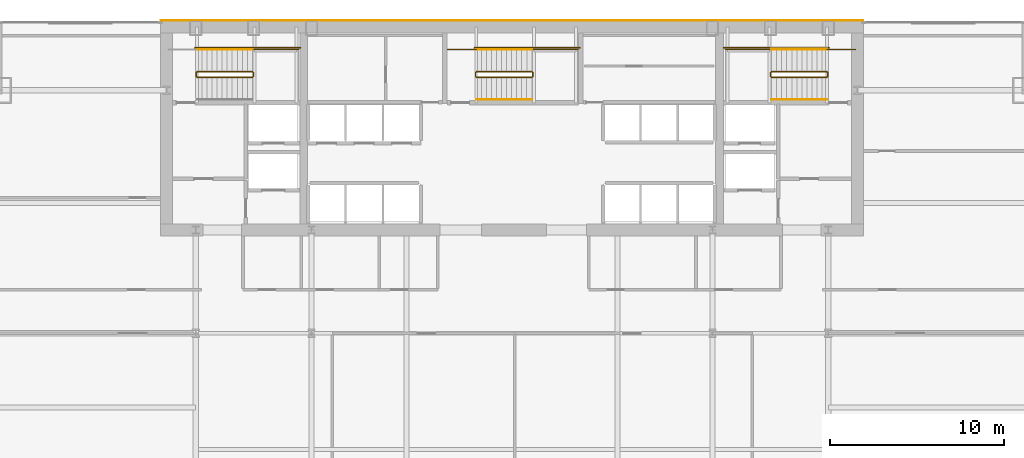
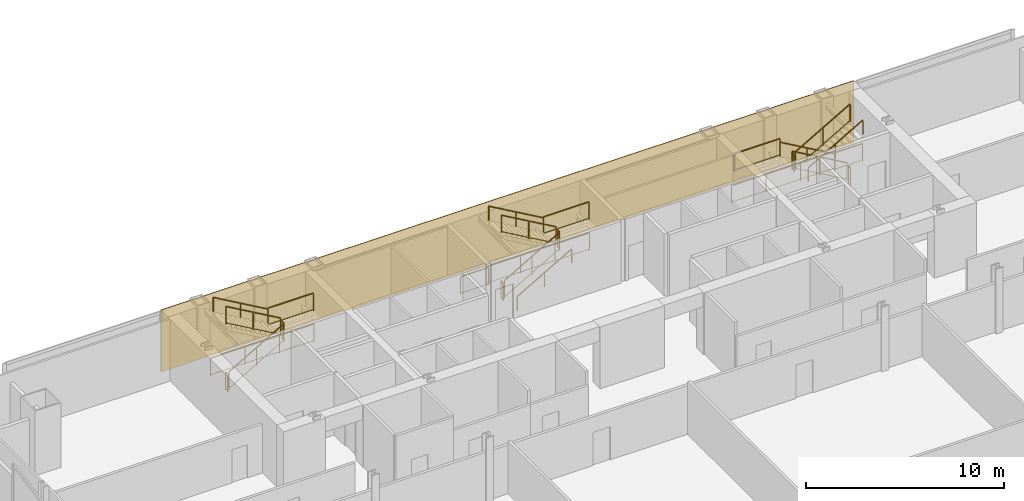
# One storey, part 30 of 30: 25 railings, 1 covering.
"""IFC4 building model written with IfcOpenShell, lengths in metres."""

from ifc_helpers import new_model, si_unit, direction, frame, origin, origin_2d, place, context, subcontext, project, spatial, polyline, rectangle, outline, extrude, material, layer, layer_set, type_object, element, save


model = new_model("IFC4")

# Units and contexts
model_context = context("Model", 3, precision=1e-05, world=origin(), true_north=direction((0.0, 1.0)))
body_context = subcontext(model_context, "Body", "Model", "MODEL_VIEW")
ifc_project = project(units=[si_unit("LENGTHUNIT", "METRE"), si_unit("AREAUNIT", "SQUARE_METRE"), si_unit("VOLUMEUNIT", "CUBIC_METRE"), si_unit("PLANEANGLEUNIT", "RADIAN"), si_unit("MASSUNIT", "GRAM", prefix="KILO")], contexts=[model_context])

# Site, building, storey
site_placement = place(None, origin())
site = spatial("IfcSite", under=ifc_project, at=site_placement, CompositionType="ELEMENT")
building_placement = place(site_placement, origin())
building = spatial("IfcBuilding", under=site, at=building_placement, Name="Khoronbel Lancet Exchange", CompositionType="ELEMENT")
storey_placement = place(building_placement, frame((0.0, 0.0, 98.60009765625)))
storey = spatial("IfcBuildingStorey", under=building, at=storey_placement, Name="L23", CompositionType="ELEMENT", Elevation=98.60009765625)

# Covering
ifc_material_1 = material(Name="Honed Egyptian Limestone & Bronze Rainscreen", Category="masonry")
ifc_layer = layer(ifc_material_1, 0.050048828125, Name="Honed Egyptian Limestone & Bronze Rainscreen")
ifc_layer_set = layer_set([ifc_layer], Name="Honed Egyptian Limestone & Bronze Rainscreen")
covering_type = type_object("IfcCoveringType", Name="COV-CLAD1", PredefinedType="CLADDING", material=ifc_layer_set)
covering_placement = place(storey_placement, origin())
element("IfcCovering", 1, at=covering_placement, inside=storey, type_object=covering_type, Name="Level L23 north rear-core stone and bronze rainscreen cladding", PredefinedType="CLADDING", context=body_context, shape_type="SweptSolid", body=[
    extrude(outline(polyline([(16.199951171875, 53.699951171875), (56.699951171875, 53.699951171875), (56.699951171875, 53.75), (16.199951171875, 53.75), (16.199951171875, 53.699951171875)])), origin(), (0.0, 0.0, 1.0), 3.81982421875),
])

# Railings
ifc_material_2 = material(Name="Painted Steel Balustrade", Category="steel")
railing_type_1 = type_object("IfcRailingType", Name="RL-STG110", PredefinedType="GUARDRAIL", material=ifc_material_2)
railing_1_placement = place(storey_placement, frame((18.300048828125, 50.449951171875, 0.16650390625)))
element("IfcRailing", 2, at=railing_1_placement, inside=storey, type_object=railing_type_1, Name="L23 ST1 stair guard 1", PredefinedType="GUARDRAIL", context=body_context, shape_type="SweptSolid", body=[
    extrude(rectangle(XDim=0.048095703125, YDim=0.048095703125, at=origin_2d()), frame((0.0, 0.0, 1.09619140625), z_axis=(0.86699087805, 0.0, 0.498324008431), x_axis=(0.0, 1.0, 0.0)), (0.0, 0.0, 1.0), 3.679443359375),
    extrude(rectangle(XDim=0.02392578125, YDim=0.02392578125, at=origin_2d()), frame((0.0, 0.0, 0.080078125), z_axis=(0.86699087805, 0.0, 0.498324008431), x_axis=(0.0, 1.0, 0.0)), (0.0, 0.0, 1.0), 3.679443359375),
    extrude(rectangle(XDim=0.0419921875, YDim=0.0419921875, at=origin_2d()), origin(), (0.0, 0.0, 1.0), 1.072021484375),
    extrude(rectangle(XDim=0.0419921875, YDim=0.0419921875, at=origin_2d()), frame((1.594970703125, 0.0, 0.916748046875)), (0.0, 0.0, 1.0), 1.072021484375),
    extrude(rectangle(XDim=0.0419921875, YDim=0.0419921875, at=origin_2d()), frame((3.18994140625, 0.0, 1.83349609375)), (0.0, 0.0, 1.0), 1.072021484375),
])
railing_2_placement = place(storey_placement, frame((21.5400390625, 50.5, 2.0)))
element("IfcRailing", 3, at=railing_2_placement, inside=storey, type_object=railing_type_1, Name="L23 ST1 stair guard 2", PredefinedType="GUARDRAIL", context=body_context, shape_type="SweptSolid", body=[
    extrude(rectangle(XDim=0.048095703125, YDim=0.048095703125, at=origin_2d()), frame((0.0, 0.0, 1.09619140625), z_axis=(0.0, 1.0, 0.0), x_axis=(-1.0, 0.0, 0.0)), (0.0, 0.0, 1.0), 0.219970703125),
    extrude(rectangle(XDim=0.02392578125, YDim=0.02392578125, at=origin_2d()), frame((0.0, 0.0, 0.080078125), z_axis=(0.0, 1.0, 0.0), x_axis=(-1.0, 0.0, 0.0)), (0.0, 0.0, 1.0), 0.219970703125),
    extrude(rectangle(XDim=0.0419921875, YDim=0.0419921875, at=origin_2d()), origin(), (0.0, 0.0, 1.0), 1.072021484375),
    extrude(rectangle(XDim=0.0419921875, YDim=0.0419921875, at=origin_2d()), frame((0.0, 0.219970703125, 0.0)), (0.0, 0.0, 1.0), 1.072021484375),
])
railing_3_placement = place(storey_placement, frame((21.489990234375, 52.050048828125, 2.0)))
element("IfcRailing", 4, at=railing_3_placement, inside=storey, type_object=railing_type_1, Name="L23 ST1 stair guard 3", PredefinedType="GUARDRAIL", context=body_context, shape_type="SweptSolid", body=[
    extrude(rectangle(XDim=0.048095703125, YDim=0.048095703125, at=origin_2d()), frame((0.0, 0.0, 1.09619140625), z_axis=(1.0, 0.0, 0.0), x_axis=(0.0, 1.0, 0.0)), (0.0, 0.0, 1.0), 2.659912109375),
    extrude(rectangle(XDim=0.02392578125, YDim=0.02392578125, at=origin_2d()), frame((0.0, 0.0, 0.080078125), z_axis=(1.0, 0.0, 0.0), x_axis=(0.0, 1.0, 0.0)), (0.0, 0.0, 1.0), 2.659912109375),
    extrude(rectangle(XDim=0.0419921875, YDim=0.0419921875, at=origin_2d()), origin(), (0.0, 0.0, 1.0), 1.072021484375),
    extrude(rectangle(XDim=0.0419921875, YDim=0.0419921875, at=origin_2d()), frame((2.659912109375, 0.0, 0.0)), (0.0, 0.0, 1.0), 1.072021484375),
])
railing_4_placement = place(storey_placement, frame((21.489990234375, 50.77001953125, 2.16650390625)))
element("IfcRailing", 5, at=railing_4_placement, inside=storey, type_object=railing_type_1, Name="L23 ST1 stair guard 4", PredefinedType="GUARDRAIL", context=body_context, shape_type="SweptSolid", body=[
    extrude(rectangle(XDim=0.048095703125, YDim=0.048095703125, at=origin_2d()), frame((0.0, 0.0, 1.09619140625), z_axis=(-0.86699087805, 0.0, 0.498324008431), x_axis=(0.0, -1.0, 0.0)), (0.0, 0.0, 1.0), 3.679443359375),
    extrude(rectangle(XDim=0.02392578125, YDim=0.02392578125, at=origin_2d()), frame((0.0, 0.0, 0.080078125), z_axis=(-0.86699087805, 0.0, 0.498324008431), x_axis=(0.0, -1.0, 0.0)), (0.0, 0.0, 1.0), 3.679443359375),
    extrude(rectangle(XDim=0.0419921875, YDim=0.0419921875, at=origin_2d()), origin(), (0.0, 0.0, 1.0), 1.072021484375),
    extrude(rectangle(XDim=0.0419921875, YDim=0.0419921875, at=origin_2d()), frame((-1.594970703125, 0.0, 0.916748046875)), (0.0, 0.0, 1.0), 1.072021484375),
    extrude(rectangle(XDim=0.0419921875, YDim=0.0419921875, at=origin_2d()), frame((-3.18994140625, 0.0, 1.83349609375)), (0.0, 0.0, 1.0), 1.072021484375),
])
railing_5_placement = place(storey_placement, frame((18.25, 50.5, 0.0)))
element("IfcRailing", 6, at=railing_5_placement, inside=storey, type_object=railing_type_1, Name="L23 ST1 stair guard 5", PredefinedType="GUARDRAIL", context=body_context, shape_type="SweptSolid", body=[
    extrude(rectangle(XDim=0.048095703125, YDim=0.048095703125, at=origin_2d()), frame((0.0, 0.0, 1.09619140625), z_axis=(0.0, 1.0, 0.0), x_axis=(-1.0, 0.0, 0.0)), (0.0, 0.0, 1.0), 0.219970703125),
    extrude(rectangle(XDim=0.02392578125, YDim=0.02392578125, at=origin_2d()), frame((0.0, 0.0, 0.080078125), z_axis=(0.0, 1.0, 0.0), x_axis=(-1.0, 0.0, 0.0)), (0.0, 0.0, 1.0), 0.219970703125),
    extrude(rectangle(XDim=0.0419921875, YDim=0.0419921875, at=origin_2d()), origin(), (0.0, 0.0, 1.0), 1.072021484375),
    extrude(rectangle(XDim=0.0419921875, YDim=0.0419921875, at=origin_2d()), frame((0.0, 0.219970703125, 0.0)), (0.0, 0.0, 1.0), 1.072021484375),
])
railing_6_placement = place(storey_placement, frame((18.199951171875, 52.14990234375, 0.0)))
element("IfcRailing", 7, at=railing_6_placement, inside=storey, type_object=railing_type_1, Name="L23 ST1 stair guard 7", PredefinedType="GUARDRAIL", context=body_context, shape_type="SweptSolid", body=[
    extrude(rectangle(XDim=0.048095703125, YDim=0.048095703125, at=origin_2d()), frame((0.0, 0.0, 1.09619140625), z_axis=(1.0, 0.0, 0.0), x_axis=(0.0, 1.0, 0.0)), (0.0, 0.0, 1.0), 6.050048828125),
    extrude(rectangle(XDim=0.02392578125, YDim=0.02392578125, at=origin_2d()), frame((0.0, 0.0, 0.080078125), z_axis=(1.0, 0.0, 0.0), x_axis=(0.0, 1.0, 0.0)), (0.0, 0.0, 1.0), 6.050048828125),
    extrude(rectangle(XDim=0.0419921875, YDim=0.0419921875, at=origin_2d()), origin(), (0.0, 0.0, 1.0), 1.072021484375),
    extrude(rectangle(XDim=0.0419921875, YDim=0.0419921875, at=origin_2d()), frame((2.0166015625, 0.0, 0.0)), (0.0, 0.0, 1.0), 1.072021484375),
    extrude(rectangle(XDim=0.0419921875, YDim=0.0419921875, at=origin_2d()), frame((4.033447265625, 0.0, 0.0)), (0.0, 0.0, 1.0), 1.072021484375),
    extrude(rectangle(XDim=0.0419921875, YDim=0.0419921875, at=origin_2d()), frame((6.050048828125, 0.0, 0.0)), (0.0, 0.0, 1.0), 1.072021484375),
])
railing_7_placement = place(storey_placement, frame((54.60009765625, 50.77001953125, 0.16650390625)))
element("IfcRailing", 8, at=railing_7_placement, inside=storey, type_object=railing_type_1, Name="L23 ST2 stair guard 1", PredefinedType="GUARDRAIL", context=body_context, shape_type="SweptSolid", body=[
    extrude(rectangle(XDim=0.048095703125, YDim=0.048095703125, at=origin_2d()), frame((0.0, 0.0, 1.09619140625), z_axis=(-0.867007354286, 0.0, 0.498295341753), x_axis=(0.0, -1.0, 0.0)), (0.0, 0.0, 1.0), 3.679443359375),
    extrude(rectangle(XDim=0.02392578125, YDim=0.02392578125, at=origin_2d()), frame((0.0, 0.0, 0.080078125), z_axis=(-0.867007354286, 0.0, 0.498295341753), x_axis=(0.0, -1.0, 0.0)), (0.0, 0.0, 1.0), 3.679443359375),
    extrude(rectangle(XDim=0.0419921875, YDim=0.0419921875, at=origin_2d()), origin(), (0.0, 0.0, 1.0), 1.072021484375),
    extrude(rectangle(XDim=0.0419921875, YDim=0.0419921875, at=origin_2d()), frame((-1.59521484375, 0.0, 0.916748046875)), (0.0, 0.0, 1.0), 1.072021484375),
    extrude(rectangle(XDim=0.0419921875, YDim=0.0419921875, at=origin_2d()), frame((-3.190185546875, 0.0, 1.83349609375)), (0.0, 0.0, 1.0), 1.072021484375),
])
railing_8_placement = place(storey_placement, frame((51.360107421875, 50.719970703125, 2.0)))
element("IfcRailing", 9, at=railing_8_placement, inside=storey, type_object=railing_type_1, Name="L23 ST2 stair guard 2", PredefinedType="GUARDRAIL", context=body_context, shape_type="SweptSolid", body=[
    extrude(rectangle(XDim=0.048095703125, YDim=0.048095703125, at=origin_2d()), frame((0.0, 0.0, 1.09619140625), z_axis=(0.0, -1.0, 0.0), x_axis=(1.0, 0.0, 0.0)), (0.0, 0.0, 1.0), 0.219970703125),
    extrude(rectangle(XDim=0.02392578125, YDim=0.02392578125, at=origin_2d()), frame((0.0, 0.0, 0.080078125), z_axis=(0.0, -1.0, 0.0), x_axis=(1.0, 0.0, 0.0)), (0.0, 0.0, 1.0), 0.219970703125),
    extrude(rectangle(XDim=0.0419921875, YDim=0.0419921875, at=origin_2d()), origin(), (0.0, 0.0, 1.0), 1.072021484375),
    extrude(rectangle(XDim=0.0419921875, YDim=0.0419921875, at=origin_2d()), frame((0.0, -0.219970703125, 0.0)), (0.0, 0.0, 1.0), 1.072021484375),
])
railing_9_placement = place(storey_placement, frame((51.409912109375, 52.050048828125, 2.0)))
element("IfcRailing", 10, at=railing_9_placement, inside=storey, type_object=railing_type_1, Name="L23 ST2 stair guard 3", PredefinedType="GUARDRAIL", context=body_context, shape_type="SweptSolid", body=[
    extrude(rectangle(XDim=0.048095703125, YDim=0.048095703125, at=origin_2d()), frame((0.0, 0.0, 1.09619140625), z_axis=(-1.0, 0.0, 0.0), x_axis=(0.0, -1.0, 0.0)), (0.0, 0.0, 1.0), 2.659912109375),
    extrude(rectangle(XDim=0.02392578125, YDim=0.02392578125, at=origin_2d()), frame((0.0, 0.0, 0.080078125), z_axis=(-1.0, 0.0, 0.0), x_axis=(0.0, -1.0, 0.0)), (0.0, 0.0, 1.0), 2.659912109375),
    extrude(rectangle(XDim=0.0419921875, YDim=0.0419921875, at=origin_2d()), origin(), (0.0, 0.0, 1.0), 1.072021484375),
    extrude(rectangle(XDim=0.0419921875, YDim=0.0419921875, at=origin_2d()), frame((-2.659912109375, 0.0, 0.0)), (0.0, 0.0, 1.0), 1.072021484375),
])
railing_10_placement = place(storey_placement, frame((51.409912109375, 50.449951171875, 2.16650390625)))
element("IfcRailing", 11, at=railing_10_placement, inside=storey, type_object=railing_type_1, Name="L23 ST2 stair guard 4", PredefinedType="GUARDRAIL", context=body_context, shape_type="SweptSolid", body=[
    extrude(rectangle(XDim=0.048095703125, YDim=0.048095703125, at=origin_2d()), frame((0.0, 0.0, 1.09619140625), z_axis=(0.867007354286, 0.0, 0.498295341753), x_axis=(0.0, 1.0, 0.0)), (0.0, 0.0, 1.0), 3.679443359375),
    extrude(rectangle(XDim=0.02392578125, YDim=0.02392578125, at=origin_2d()), frame((0.0, 0.0, 0.080078125), z_axis=(0.867007354286, 0.0, 0.498295341753), x_axis=(0.0, 1.0, 0.0)), (0.0, 0.0, 1.0), 3.679443359375),
    extrude(rectangle(XDim=0.0419921875, YDim=0.0419921875, at=origin_2d()), origin(), (0.0, 0.0, 1.0), 1.072021484375),
    extrude(rectangle(XDim=0.0419921875, YDim=0.0419921875, at=origin_2d()), frame((1.59521484375, 0.0, 0.916748046875)), (0.0, 0.0, 1.0), 1.072021484375),
    extrude(rectangle(XDim=0.0419921875, YDim=0.0419921875, at=origin_2d()), frame((3.190185546875, 0.0, 1.83349609375)), (0.0, 0.0, 1.0), 1.072021484375),
])
railing_11_placement = place(storey_placement, frame((54.64990234375, 50.719970703125, 0.0)))
element("IfcRailing", 12, at=railing_11_placement, inside=storey, type_object=railing_type_1, Name="L23 ST2 stair guard 5", PredefinedType="GUARDRAIL", context=body_context, shape_type="SweptSolid", body=[
    extrude(rectangle(XDim=0.048095703125, YDim=0.048095703125, at=origin_2d()), frame((0.0, 0.0, 1.09619140625), z_axis=(0.0, -1.0, 0.0), x_axis=(1.0, 0.0, 0.0)), (0.0, 0.0, 1.0), 0.219970703125),
    extrude(rectangle(XDim=0.02392578125, YDim=0.02392578125, at=origin_2d()), frame((0.0, 0.0, 0.080078125), z_axis=(0.0, -1.0, 0.0), x_axis=(1.0, 0.0, 0.0)), (0.0, 0.0, 1.0), 0.219970703125),
    extrude(rectangle(XDim=0.0419921875, YDim=0.0419921875, at=origin_2d()), origin(), (0.0, 0.0, 1.0), 1.072021484375),
    extrude(rectangle(XDim=0.0419921875, YDim=0.0419921875, at=origin_2d()), frame((0.0, -0.219970703125, 0.0)), (0.0, 0.0, 1.0), 1.072021484375),
])
railing_12_placement = place(storey_placement, frame((56.25, 52.050048828125, 0.0)))
element("IfcRailing", 13, at=railing_12_placement, inside=storey, type_object=railing_type_1, Name="L23 ST2 stair guard 6", PredefinedType="GUARDRAIL", context=body_context, shape_type="SweptSolid", body=[
    extrude(rectangle(XDim=0.048095703125, YDim=0.048095703125, at=origin_2d()), frame((0.0, 0.0, 1.09619140625), z_axis=(-1.0, 0.0, 0.0), x_axis=(0.0, -1.0, 0.0)), (0.0, 0.0, 1.0), 1.64990234375),
    extrude(rectangle(XDim=0.02392578125, YDim=0.02392578125, at=origin_2d()), frame((0.0, 0.0, 0.080078125), z_axis=(-1.0, 0.0, 0.0), x_axis=(0.0, -1.0, 0.0)), (0.0, 0.0, 1.0), 1.64990234375),
    extrude(rectangle(XDim=0.0419921875, YDim=0.0419921875, at=origin_2d()), origin(), (0.0, 0.0, 1.0), 1.072021484375),
    extrude(rectangle(XDim=0.0419921875, YDim=0.0419921875, at=origin_2d()), frame((-1.64990234375, 0.0, 0.0)), (0.0, 0.0, 1.0), 1.072021484375),
])
railing_13_placement = place(storey_placement, frame((54.699951171875, 52.14990234375, 0.0)))
element("IfcRailing", 14, at=railing_13_placement, inside=storey, type_object=railing_type_1, Name="L23 ST2 stair guard 7", PredefinedType="GUARDRAIL", context=body_context, shape_type="SweptSolid", body=[
    extrude(rectangle(XDim=0.048095703125, YDim=0.048095703125, at=origin_2d()), frame((0.0, 0.0, 1.09619140625), z_axis=(-1.0, 0.0, 0.0), x_axis=(0.0, -1.0, 0.0)), (0.0, 0.0, 1.0), 6.050048828125),
    extrude(rectangle(XDim=0.02392578125, YDim=0.02392578125, at=origin_2d()), frame((0.0, 0.0, 0.080078125), z_axis=(-1.0, 0.0, 0.0), x_axis=(0.0, -1.0, 0.0)), (0.0, 0.0, 1.0), 6.050048828125),
    extrude(rectangle(XDim=0.0419921875, YDim=0.0419921875, at=origin_2d()), origin(), (0.0, 0.0, 1.0), 1.072021484375),
    extrude(rectangle(XDim=0.0419921875, YDim=0.0419921875, at=origin_2d()), frame((-2.0166015625, 0.0, 0.0)), (0.0, 0.0, 1.0), 1.072021484375),
    extrude(rectangle(XDim=0.0419921875, YDim=0.0419921875, at=origin_2d()), frame((-4.033447265625, 0.0, 0.0)), (0.0, 0.0, 1.0), 1.072021484375),
    extrude(rectangle(XDim=0.0419921875, YDim=0.0419921875, at=origin_2d()), frame((-6.050048828125, 0.0, 0.0)), (0.0, 0.0, 1.0), 1.072021484375),
])
railing_14_placement = place(storey_placement, frame((34.39990234375, 50.449951171875, 0.16650390625)))
element("IfcRailing", 15, at=railing_14_placement, inside=storey, type_object=railing_type_1, Name="L23 ST3 stair guard 1", PredefinedType="GUARDRAIL", context=body_context, shape_type="SweptSolid", body=[
    extrude(rectangle(XDim=0.048095703125, YDim=0.048095703125, at=origin_2d()), frame((0.0, 0.0, 1.09619140625), z_axis=(0.867007354286, 0.0, 0.498295341753), x_axis=(0.0, 1.0, 0.0)), (0.0, 0.0, 1.0), 3.679443359375),
    extrude(rectangle(XDim=0.02392578125, YDim=0.02392578125, at=origin_2d()), frame((0.0, 0.0, 0.080078125), z_axis=(0.867007354286, 0.0, 0.498295341753), x_axis=(0.0, 1.0, 0.0)), (0.0, 0.0, 1.0), 3.679443359375),
    extrude(rectangle(XDim=0.0419921875, YDim=0.0419921875, at=origin_2d()), origin(), (0.0, 0.0, 1.0), 1.072021484375),
    extrude(rectangle(XDim=0.0419921875, YDim=0.0419921875, at=origin_2d()), frame((1.59521484375, 0.0, 0.916748046875)), (0.0, 0.0, 1.0), 1.072021484375),
    extrude(rectangle(XDim=0.0419921875, YDim=0.0419921875, at=origin_2d()), frame((3.190185546875, 0.0, 1.83349609375)), (0.0, 0.0, 1.0), 1.072021484375),
])
railing_15_placement = place(storey_placement, frame((37.639892578125, 50.5, 2.0)))
element("IfcRailing", 16, at=railing_15_placement, inside=storey, type_object=railing_type_1, Name="L23 ST3 stair guard 2", PredefinedType="GUARDRAIL", context=body_context, shape_type="SweptSolid", body=[
    extrude(rectangle(XDim=0.048095703125, YDim=0.048095703125, at=origin_2d()), frame((0.0, 0.0, 1.09619140625), z_axis=(0.0, 1.0, 0.0), x_axis=(-1.0, 0.0, 0.0)), (0.0, 0.0, 1.0), 0.219970703125),
    extrude(rectangle(XDim=0.02392578125, YDim=0.02392578125, at=origin_2d()), frame((0.0, 0.0, 0.080078125), z_axis=(0.0, 1.0, 0.0), x_axis=(-1.0, 0.0, 0.0)), (0.0, 0.0, 1.0), 0.219970703125),
    extrude(rectangle(XDim=0.0419921875, YDim=0.0419921875, at=origin_2d()), origin(), (0.0, 0.0, 1.0), 1.072021484375),
    extrude(rectangle(XDim=0.0419921875, YDim=0.0419921875, at=origin_2d()), frame((0.0, 0.219970703125, 0.0)), (0.0, 0.0, 1.0), 1.072021484375),
])
railing_16_placement = place(storey_placement, frame((37.590087890625, 52.050048828125, 2.0)))
element("IfcRailing", 17, at=railing_16_placement, inside=storey, type_object=railing_type_1, Name="L23 ST3 stair guard 3", PredefinedType="GUARDRAIL", context=body_context, shape_type="SweptSolid", body=[
    extrude(rectangle(XDim=0.048095703125, YDim=0.048095703125, at=origin_2d()), frame((0.0, 0.0, 1.09619140625), z_axis=(1.0, 0.0, 0.0), x_axis=(0.0, 1.0, 0.0)), (0.0, 0.0, 1.0), 2.659912109375),
    extrude(rectangle(XDim=0.02392578125, YDim=0.02392578125, at=origin_2d()), frame((0.0, 0.0, 0.080078125), z_axis=(1.0, 0.0, 0.0), x_axis=(0.0, 1.0, 0.0)), (0.0, 0.0, 1.0), 2.659912109375),
    extrude(rectangle(XDim=0.0419921875, YDim=0.0419921875, at=origin_2d()), origin(), (0.0, 0.0, 1.0), 1.072021484375),
    extrude(rectangle(XDim=0.0419921875, YDim=0.0419921875, at=origin_2d()), frame((2.659912109375, 0.0, 0.0)), (0.0, 0.0, 1.0), 1.072021484375),
])
railing_17_placement = place(storey_placement, frame((37.590087890625, 50.77001953125, 2.16650390625)))
element("IfcRailing", 18, at=railing_17_placement, inside=storey, type_object=railing_type_1, Name="L23 ST3 stair guard 4", PredefinedType="GUARDRAIL", context=body_context, shape_type="SweptSolid", body=[
    extrude(rectangle(XDim=0.048095703125, YDim=0.048095703125, at=origin_2d()), frame((0.0, 0.0, 1.09619140625), z_axis=(-0.867007354286, 0.0, 0.498295341753), x_axis=(0.0, -1.0, 0.0)), (0.0, 0.0, 1.0), 3.679443359375),
    extrude(rectangle(XDim=0.02392578125, YDim=0.02392578125, at=origin_2d()), frame((0.0, 0.0, 0.080078125), z_axis=(-0.867007354286, 0.0, 0.498295341753), x_axis=(0.0, -1.0, 0.0)), (0.0, 0.0, 1.0), 3.679443359375),
    extrude(rectangle(XDim=0.0419921875, YDim=0.0419921875, at=origin_2d()), origin(), (0.0, 0.0, 1.0), 1.072021484375),
    extrude(rectangle(XDim=0.0419921875, YDim=0.0419921875, at=origin_2d()), frame((-1.59521484375, 0.0, 0.916748046875)), (0.0, 0.0, 1.0), 1.072021484375),
    extrude(rectangle(XDim=0.0419921875, YDim=0.0419921875, at=origin_2d()), frame((-3.190185546875, 0.0, 1.83349609375)), (0.0, 0.0, 1.0), 1.072021484375),
])
railing_18_placement = place(storey_placement, frame((34.35009765625, 50.5, 0.0)))
element("IfcRailing", 19, at=railing_18_placement, inside=storey, type_object=railing_type_1, Name="L23 ST3 stair guard 5", PredefinedType="GUARDRAIL", context=body_context, shape_type="SweptSolid", body=[
    extrude(rectangle(XDim=0.048095703125, YDim=0.048095703125, at=origin_2d()), frame((0.0, 0.0, 1.09619140625), z_axis=(0.0, 1.0, 0.0), x_axis=(-1.0, 0.0, 0.0)), (0.0, 0.0, 1.0), 0.219970703125),
    extrude(rectangle(XDim=0.02392578125, YDim=0.02392578125, at=origin_2d()), frame((0.0, 0.0, 0.080078125), z_axis=(0.0, 1.0, 0.0), x_axis=(-1.0, 0.0, 0.0)), (0.0, 0.0, 1.0), 0.219970703125),
    extrude(rectangle(XDim=0.0419921875, YDim=0.0419921875, at=origin_2d()), origin(), (0.0, 0.0, 1.0), 1.072021484375),
    extrude(rectangle(XDim=0.0419921875, YDim=0.0419921875, at=origin_2d()), frame((0.0, 0.219970703125, 0.0)), (0.0, 0.0, 1.0), 1.072021484375),
])
railing_19_placement = place(storey_placement, frame((32.75, 52.050048828125, 0.0)))
element("IfcRailing", 20, at=railing_19_placement, inside=storey, type_object=railing_type_1, Name="L23 ST3 stair guard 6", PredefinedType="GUARDRAIL", context=body_context, shape_type="SweptSolid", body=[
    extrude(rectangle(XDim=0.048095703125, YDim=0.048095703125, at=origin_2d()), frame((0.0, 0.0, 1.09619140625), z_axis=(1.0, 0.0, 0.0), x_axis=(0.0, 1.0, 0.0)), (0.0, 0.0, 1.0), 1.64990234375),
    extrude(rectangle(XDim=0.02392578125, YDim=0.02392578125, at=origin_2d()), frame((0.0, 0.0, 0.080078125), z_axis=(1.0, 0.0, 0.0), x_axis=(0.0, 1.0, 0.0)), (0.0, 0.0, 1.0), 1.64990234375),
    extrude(rectangle(XDim=0.0419921875, YDim=0.0419921875, at=origin_2d()), origin(), (0.0, 0.0, 1.0), 1.072021484375),
    extrude(rectangle(XDim=0.0419921875, YDim=0.0419921875, at=origin_2d()), frame((1.64990234375, 0.0, 0.0)), (0.0, 0.0, 1.0), 1.072021484375),
])
railing_20_placement = place(storey_placement, frame((34.300048828125, 52.14990234375, 0.0)))
element("IfcRailing", 21, at=railing_20_placement, inside=storey, type_object=railing_type_1, Name="L23 ST3 stair guard 7", PredefinedType="GUARDRAIL", context=body_context, shape_type="SweptSolid", body=[
    extrude(rectangle(XDim=0.048095703125, YDim=0.048095703125, at=origin_2d()), frame((0.0, 0.0, 1.09619140625), z_axis=(1.0, 0.0, 0.0), x_axis=(0.0, 1.0, 0.0)), (0.0, 0.0, 1.0), 6.050048828125),
    extrude(rectangle(XDim=0.02392578125, YDim=0.02392578125, at=origin_2d()), frame((0.0, 0.0, 0.080078125), z_axis=(1.0, 0.0, 0.0), x_axis=(0.0, 1.0, 0.0)), (0.0, 0.0, 1.0), 6.050048828125),
    extrude(rectangle(XDim=0.0419921875, YDim=0.0419921875, at=origin_2d()), origin(), (0.0, 0.0, 1.0), 1.072021484375),
    extrude(rectangle(XDim=0.0419921875, YDim=0.0419921875, at=origin_2d()), frame((2.0166015625, 0.0, 0.0)), (0.0, 0.0, 1.0), 1.072021484375),
    extrude(rectangle(XDim=0.0419921875, YDim=0.0419921875, at=origin_2d()), frame((4.033447265625, 0.0, 0.0)), (0.0, 0.0, 1.0), 1.072021484375),
    extrude(rectangle(XDim=0.0419921875, YDim=0.0419921875, at=origin_2d()), frame((6.050048828125, 0.0, 0.0)), (0.0, 0.0, 1.0), 1.072021484375),
])
ifc_material_3 = material(Name="Brushed Stainless Steel 316", Category="steel")
railing_type_2 = type_object("IfcRailingType", Name="RL-STH92", PredefinedType="HANDRAIL", material=ifc_material_3)
railing_21_placement = place(storey_placement, frame((21.489990234375, 52.050048828125, 2.16650390625)))
element("IfcRailing", 22, at=railing_21_placement, inside=storey, type_object=railing_type_2, Name="L23 ST1 stair handrail 2", PredefinedType="HANDRAIL", context=body_context, shape_type="SweptSolid", body=[
    extrude(rectangle(XDim=0.048095703125, YDim=0.048095703125, at=origin_2d()), frame((0.0, 0.0, 0.8759765625), z_axis=(-0.86699087805, 0.0, 0.498324008431), x_axis=(0.0, -1.0, 0.0)), (0.0, 0.0, 1.0), 3.679443359375),
    extrude(rectangle(XDim=0.0419921875, YDim=0.0419921875, at=origin_2d()), origin(), (0.0, 0.0, 1.0), 0.851806640625),
    extrude(rectangle(XDim=0.0419921875, YDim=0.0419921875, at=origin_2d()), frame((-1.594970703125, 0.0, 0.916748046875)), (0.0, 0.0, 1.0), 0.851806640625),
    extrude(rectangle(XDim=0.0419921875, YDim=0.0419921875, at=origin_2d()), frame((-3.18994140625, 0.0, 1.83349609375)), (0.0, 0.0, 1.0), 0.851806640625),
])
railing_22_placement = place(storey_placement, frame((54.60009765625, 52.050048828125, 0.16650390625)))
element("IfcRailing", 23, at=railing_22_placement, inside=storey, type_object=railing_type_2, Name="L23 ST2 stair handrail 1", PredefinedType="HANDRAIL", context=body_context, shape_type="SweptSolid", body=[
    extrude(rectangle(XDim=0.048095703125, YDim=0.048095703125, at=origin_2d()), frame((0.0, 0.0, 0.8759765625), z_axis=(-0.867007354286, 0.0, 0.498295341753), x_axis=(0.0, -1.0, 0.0)), (0.0, 0.0, 1.0), 3.679443359375),
    extrude(rectangle(XDim=0.0419921875, YDim=0.0419921875, at=origin_2d()), origin(), (0.0, 0.0, 1.0), 0.851806640625),
    extrude(rectangle(XDim=0.0419921875, YDim=0.0419921875, at=origin_2d()), frame((-1.59521484375, 0.0, 0.916748046875)), (0.0, 0.0, 1.0), 0.851806640625),
    extrude(rectangle(XDim=0.0419921875, YDim=0.0419921875, at=origin_2d()), frame((-3.190185546875, 0.0, 1.83349609375)), (0.0, 0.0, 1.0), 0.851806640625),
])
for number, where, name in (
    (24, (51.409912109375, 49.169921875, 2.16650390625), "L23 ST2 stair handrail 2"),
    (25, (34.39990234375, 49.169921875, 0.16650390625), "L23 ST3 stair handrail 1"),
):
    element("IfcRailing", number, at=place(storey_placement, frame(where)), inside=storey, type_object=railing_type_2, Name=name, PredefinedType="HANDRAIL", context=body_context, shape_type="SweptSolid", body=[
        extrude(rectangle(XDim=0.048095703125, YDim=0.048095703125, at=origin_2d()), frame((0.0, 0.0, 0.8759765625), z_axis=(0.867007354286, 0.0, 0.498295341753), x_axis=(0.0, 1.0, 0.0)), (0.0, 0.0, 1.0), 3.679443359375),
        extrude(rectangle(XDim=0.0419921875, YDim=0.0419921875, at=origin_2d()), origin(), (0.0, 0.0, 1.0), 0.851806640625),
        extrude(rectangle(XDim=0.0419921875, YDim=0.0419921875, at=origin_2d()), frame((1.59521484375, 0.0, 0.916748046875)), (0.0, 0.0, 1.0), 0.851806640625),
        extrude(rectangle(XDim=0.0419921875, YDim=0.0419921875, at=origin_2d()), frame((3.190185546875, 0.0, 1.83349609375)), (0.0, 0.0, 1.0), 0.851806640625),
    ])
railing_23_placement = place(storey_placement, frame((37.590087890625, 52.050048828125, 2.16650390625)))
element("IfcRailing", 26, at=railing_23_placement, inside=storey, type_object=railing_type_2, Name="L23 ST3 stair handrail 2", PredefinedType="HANDRAIL", context=body_context, shape_type="SweptSolid", body=[
    extrude(rectangle(XDim=0.048095703125, YDim=0.048095703125, at=origin_2d()), frame((0.0, 0.0, 0.8759765625), z_axis=(-0.867007354286, 0.0, 0.498295341753), x_axis=(0.0, -1.0, 0.0)), (0.0, 0.0, 1.0), 3.679443359375),
    extrude(rectangle(XDim=0.0419921875, YDim=0.0419921875, at=origin_2d()), origin(), (0.0, 0.0, 1.0), 0.851806640625),
    extrude(rectangle(XDim=0.0419921875, YDim=0.0419921875, at=origin_2d()), frame((-1.59521484375, 0.0, 0.916748046875)), (0.0, 0.0, 1.0), 0.851806640625),
    extrude(rectangle(XDim=0.0419921875, YDim=0.0419921875, at=origin_2d()), frame((-3.190185546875, 0.0, 1.83349609375)), (0.0, 0.0, 1.0), 0.851806640625),
])

save(model, "model.ifc")
